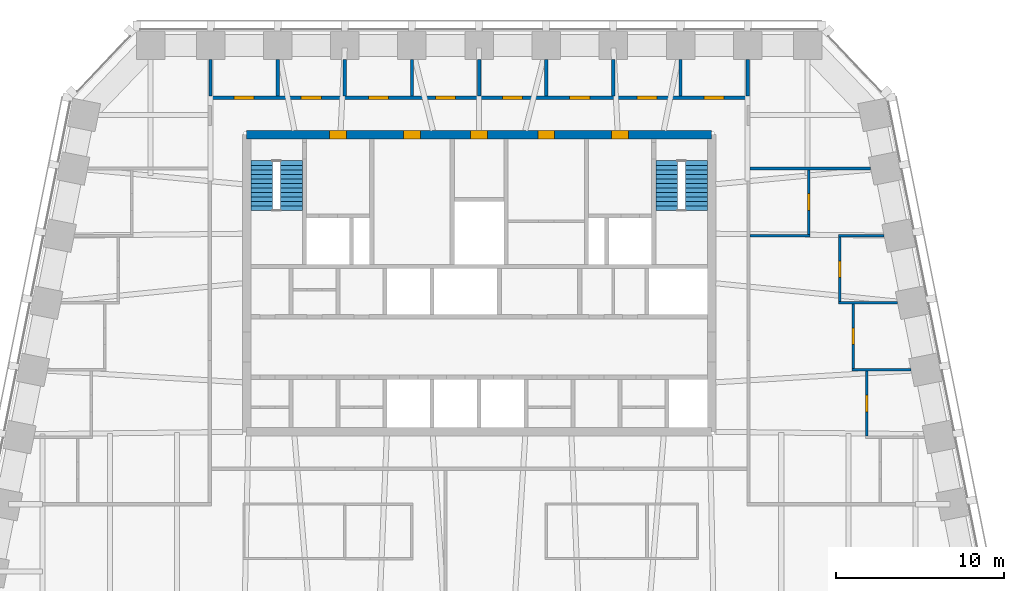
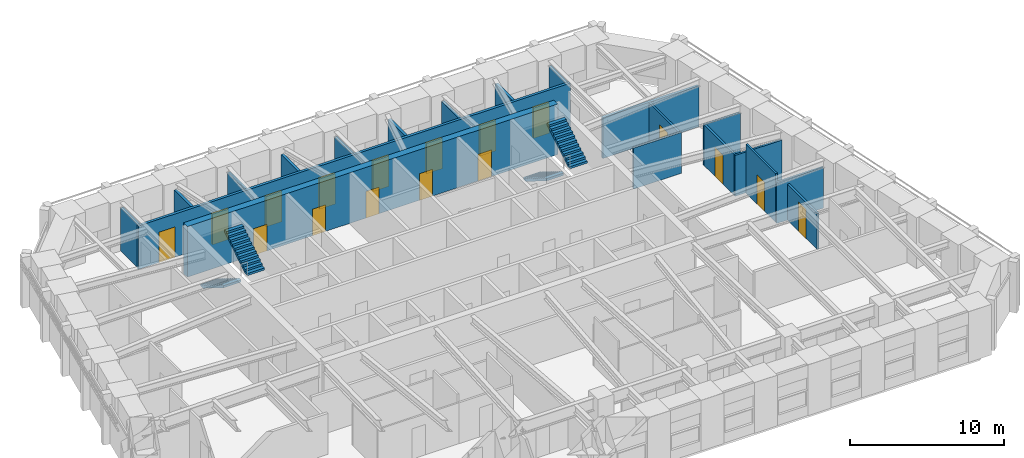
# One storey, part 8 of 11: 20 walls, 17 doors, 4 stair flights, 17 openings, 2 elements without a shape of their own.
"""IFC4 building model written with IfcOpenShell, lengths in metres."""

from ifc_helpers import new_model, si_unit, direction, frame, frame_2d, origin, place, context, subcontext, project, spatial, polyline, rectangle, outline, extrude, material, layer, layer_set, type_object, element, fill, aggregate, save


model = new_model("IFC4")

# Units and contexts
model_context = context("Model", 3, precision=1e-05, world=origin(), true_north=direction((0.0, 1.0)))
body_context = subcontext(model_context, "Body", "Model", "MODEL_VIEW")
ifc_project = project(units=[si_unit("LENGTHUNIT", "METRE"), si_unit("AREAUNIT", "SQUARE_METRE"), si_unit("VOLUMEUNIT", "CUBIC_METRE"), si_unit("PLANEANGLEUNIT", "RADIAN"), si_unit("MASSUNIT", "GRAM", prefix="KILO")], contexts=[model_context])

# Site, building, storey
site_placement = place(None, origin())
site = spatial("IfcSite", under=ifc_project, at=site_placement, CompositionType="ELEMENT")
building_placement = place(site_placement, origin())
building = spatial("IfcBuilding", under=site, at=building_placement, Name="Isbrekke Arena Tower", CompositionType="ELEMENT")
storey_placement = place(building_placement, frame((0.0, 0.0, 276.0)))
storey = spatial("IfcBuildingStorey", under=building, at=storey_placement, Name="L64", CompositionType="ELEMENT", Elevation=276.0)

# Wall, openings, doors
ifc_material_1 = material(Name="Concrete B55 (C55/67)", Category="concrete")
ifc_layer_1 = layer(ifc_material_1, 0.5)
ifc_layer_set_1 = layer_set([ifc_layer_1], Name="CW5 CORE WALL 500")
wall_type_1 = type_object("IfcWallType", Name="CW5 CORE WALL 500", PredefinedType="SHEAR", material=ifc_layer_set_1)
wall_1_placement = place(storey_placement, frame((13.85009765625, 23.85009765625, 0.0), z_axis=(0.0, 0.0, 1.0), x_axis=(-1.0, 0.0, 0.0)))
wall_1 = element("IfcWall", 1, at=wall_1_placement, inside=storey, type_object=wall_type_1, Name="Core wall N L64", PredefinedType="SHEAR", context=body_context, shape_type="SweptSolid", body=[
    extrude(rectangle(XDim=27.7001953125, YDim=0.5, at=frame_2d((13.85009765625, 0.0))), origin(), (0.0, 0.0, 1.0), 4.0),
])
opening_1_placement = place(wall_1_placement, frame((21.75, 0.0, 0.0)))
opening_1 = element("IfcOpeningElement", 2, at=opening_1_placement, cuts=wall_1, Name="Opening D3", PredefinedType="OPENING", context=body_context, shape_type="SweptSolid", body=[
    extrude(rectangle(XDim=1.0, YDim=2.10009765625, at=frame_2d((0.5, 1.050048828125))), frame((0.0, 0.264892578125, 0.0), z_axis=(0.0, -1.0, 0.0), x_axis=(1.0, 0.0, 0.0)), (0.0, 0.0, 1.0), 0.52978515625),
])
opening_2_placement = place(wall_1_placement, frame((4.949951171875, 0.0, 0.0)))
opening_2 = element("IfcOpeningElement", 3, at=opening_2_placement, cuts=wall_1, Name="Opening D3", PredefinedType="OPENING", context=body_context, shape_type="SweptSolid", body=[
    extrude(rectangle(XDim=1.0, YDim=2.10009765625, at=frame_2d((0.5, 1.050048828125))), frame((0.0, 0.264892578125, 0.0), z_axis=(0.0, -1.0, 0.0), x_axis=(1.0, 0.0, 0.0)), (0.0, 0.0, 1.0), 0.52978515625),
])
opening_3_placement = place(wall_1_placement, frame((17.35009765625, 0.0, 0.0)))
opening_3 = element("IfcOpeningElement", 4, at=opening_3_placement, cuts=wall_1, Name="Opening D4", PredefinedType="OPENING", context=body_context, shape_type="SweptSolid", body=[
    extrude(rectangle(XDim=1.0, YDim=2.10009765625, at=frame_2d((0.5, 1.050048828125))), frame((0.0, 0.264892578125, 0.0), z_axis=(0.0, -1.0, 0.0), x_axis=(1.0, 0.0, 0.0)), (0.0, 0.0, 1.0), 0.52978515625),
])
opening_4_placement = place(wall_1_placement, frame((13.35009765625, 0.0, 0.0)))
opening_4 = element("IfcOpeningElement", 5, at=opening_4_placement, cuts=wall_1, Name="Opening D4", PredefinedType="OPENING", context=body_context, shape_type="SweptSolid", body=[
    extrude(rectangle(XDim=1.0, YDim=2.10009765625, at=frame_2d((0.5, 1.050048828125))), frame((0.0, 0.264892578125, 0.0), z_axis=(0.0, -1.0, 0.0), x_axis=(1.0, 0.0, 0.0)), (0.0, 0.0, 1.0), 0.52978515625),
])
opening_5_placement = place(wall_1_placement, frame((9.35009765625, 0.0, 0.0)))
opening_5 = element("IfcOpeningElement", 6, at=opening_5_placement, cuts=wall_1, Name="Opening D4", PredefinedType="OPENING", context=body_context, shape_type="SweptSolid", body=[
    extrude(rectangle(XDim=1.0, YDim=2.10009765625, at=frame_2d((0.5, 1.050048828125))), frame((0.0, 0.264892578125, 0.0), z_axis=(0.0, -1.0, 0.0), x_axis=(1.0, 0.0, 0.0)), (0.0, 0.0, 1.0), 0.52978515625),
])
ifc_material_2 = material(Name="Steel fire door", Category="steel")
door_type_1 = type_object("IfcDoorType", Name="D3 FIRE LOBBY DOOR 1000 x 2100", OperationType="SINGLE_SWING_RIGHT", PredefinedType="DOOR", material=ifc_material_2)
door_1_placement = place(opening_1_placement, origin())
door_1 = element("IfcDoor", 7, at=door_1_placement, inside=storey, type_object=door_type_1, Name="D3 fire-fighting lobby door L64", OperationType="SINGLE_SWING_RIGHT", OverallHeight=2.10009765625, OverallWidth=1.0, PredefinedType="DOOR", context=body_context, shape_type="SweptSolid", body=[
    extrude(rectangle(XDim=1.0, YDim=2.10009765625, at=frame_2d((0.5, 1.050048828125))), frame((0.0, 0.249755859375, 0.0), z_axis=(0.0, -1.0, 0.0), x_axis=(1.0, 0.0, 0.0)), (0.0, 0.0, 1.0), 0.49951171875),
])
fill(opening_1, door_1)
door_2_placement = place(opening_2_placement, origin())
door_2 = element("IfcDoor", 8, at=door_2_placement, inside=storey, type_object=door_type_1, Name="D3 fire-fighting lobby door L64", OperationType="SINGLE_SWING_RIGHT", OverallHeight=2.10009765625, OverallWidth=1.0, PredefinedType="DOOR", context=body_context, shape_type="SweptSolid", body=[
    extrude(rectangle(XDim=1.0, YDim=2.10009765625, at=frame_2d((0.5, 1.050048828125))), frame((0.0, 0.249755859375, 0.0), z_axis=(0.0, -1.0, 0.0), x_axis=(1.0, 0.0, 0.0)), (0.0, 0.0, 1.0), 0.49951171875),
])
fill(opening_2, door_2)
ifc_material_3 = material(Name="Timber door", Category="wood")
door_type_2 = type_object("IfcDoorType", Name="D4 WC DOOR 1000 x 2100", OperationType="SINGLE_SWING_LEFT", PredefinedType="DOOR", material=ifc_material_3)
door_3_placement = place(opening_3_placement, origin())
door_3 = element("IfcDoor", 9, at=door_3_placement, inside=storey, type_object=door_type_2, Name="D4 wc female door L64", OperationType="SINGLE_SWING_LEFT", OverallHeight=2.10009765625, OverallWidth=1.0, PredefinedType="DOOR", context=body_context, shape_type="SweptSolid", body=[
    extrude(rectangle(XDim=1.0, YDim=2.10009765625, at=frame_2d((0.5, 1.050048828125))), frame((0.0, 0.249755859375, 0.0), z_axis=(0.0, -1.0, 0.0), x_axis=(1.0, 0.0, 0.0)), (0.0, 0.0, 1.0), 0.49951171875),
])
fill(opening_3, door_3)
door_4_placement = place(opening_4_placement, origin())
door_4 = element("IfcDoor", 10, at=door_4_placement, inside=storey, type_object=door_type_2, Name="D4 accessible wc door L64", OperationType="SINGLE_SWING_LEFT", OverallHeight=2.10009765625, OverallWidth=1.0, PredefinedType="DOOR", context=body_context, shape_type="SweptSolid", body=[
    extrude(rectangle(XDim=1.0, YDim=2.10009765625, at=frame_2d((0.5, 1.050048828125))), frame((0.0, 0.249755859375, 0.0), z_axis=(0.0, -1.0, 0.0), x_axis=(1.0, 0.0, 0.0)), (0.0, 0.0, 1.0), 0.49951171875),
])
fill(opening_4, door_4)
door_5_placement = place(opening_5_placement, origin())
door_5 = element("IfcDoor", 11, at=door_5_placement, inside=storey, type_object=door_type_2, Name="D4 wc male door L64", OperationType="SINGLE_SWING_LEFT", OverallHeight=2.10009765625, OverallWidth=1.0, PredefinedType="DOOR", context=body_context, shape_type="SweptSolid", body=[
    extrude(rectangle(XDim=1.0, YDim=2.10009765625, at=frame_2d((0.5, 1.050048828125))), frame((0.0, 0.249755859375, 0.0), z_axis=(0.0, -1.0, 0.0), x_axis=(1.0, 0.0, 0.0)), (0.0, 0.0, 1.0), 0.49951171875),
])
fill(opening_5, door_5)

# Walls
ifc_material_4 = material(Name="Gypsum board partition on steel studs", Category="steel")
ifc_layer_2 = layer(ifc_material_4, 0.14990234375)
ifc_layer_set_2 = layer_set([ifc_layer_2], Name="IW1 PARTITION 150")
wall_type_2 = type_object("IfcWallType", Name="IW1 PARTITION 150", PredefinedType="PARTITIONING", material=ifc_layer_set_2)
for number, where, z_axis, x_axis, name in (
    (12, (22.22509765625, 9.840087890625, 0.0), (0.0, 0.0, 1.0), (1.0, 0.0, 0.0), "IW1 partition 150 L64"),
    (13, (21.425048828125, 13.840087890625, 0.0), (0.0, 0.0, 1.0), (1.0, 0.0, 0.0), "IW1 partition 150 L64"),
):
    element("IfcWall", number, at=place(storey_placement, frame(where, z_axis=z_axis, x_axis=x_axis)), inside=storey, type_object=wall_type_2, Name=name, PredefinedType="PARTITIONING", context=body_context, shape_type="SweptSolid", body=[
        extrude(rectangle(XDim=3.498779296875, YDim=0.14990234375, at=frame_2d((1.74951171875, 0.0))), origin(), (0.0, 0.0, 1.0), 3.22998046875),
    ])
wall_2_placement = place(storey_placement, frame((16.14990234375, 17.840087890625, 0.0), z_axis=(0.0, 0.0, 1.0), x_axis=(1.0, 0.0, 0.0)))
element("IfcWall", 14, at=wall_2_placement, inside=storey, type_object=wall_type_2, Name="IW1 partition 150 L64", PredefinedType="PARTITIONING", context=body_context, shape_type="SweptSolid", body=[
    extrude(rectangle(XDim=3.5751953125, YDim=0.14990234375, at=frame_2d((1.78759765625, 0.0))), origin(), (0.0, 0.0, 1.0), 3.22998046875),
])
wall_3_placement = place(storey_placement, frame((21.425048828125, 17.840087890625, 0.0), z_axis=(0.0, 0.0, 1.0), x_axis=(1.0, 0.0, 0.0)))
element("IfcWall", 15, at=wall_3_placement, inside=storey, type_object=wall_type_2, Name="IW1 partition 150 L64", PredefinedType="PARTITIONING", context=body_context, shape_type="SweptSolid", body=[
    extrude(rectangle(XDim=2.69873046875, YDim=0.14990234375, at=frame_2d((1.349365234375, 0.0))), origin(), (0.0, 0.0, 1.0), 3.22998046875),
])

# Wall, opening, door
wall_4_placement = place(storey_placement, frame((19.64990234375, 17.9150390625, 0.0), z_axis=(0.0, 0.0, 1.0), x_axis=(0.0, 1.0, 0.0)))
wall_4 = element("IfcWall", 16, at=wall_4_placement, inside=storey, type_object=wall_type_2, Name="IW1 partition 150 L64", PredefinedType="PARTITIONING", context=body_context, shape_type="SweptSolid", body=[
    extrude(rectangle(XDim=3.824951171875, YDim=0.14990234375, at=frame_2d((1.91259765625, 0.0))), origin(), (0.0, 0.0, 1.0), 3.22998046875),
])
opening_6_placement = place(wall_4_placement, frame((1.425048828125, 0.0, 0.0)))
opening_6 = element("IfcOpeningElement", 17, at=opening_6_placement, cuts=wall_4, Name="Opening D10", PredefinedType="OPENING", context=body_context, shape_type="SweptSolid", body=[
    extrude(rectangle(XDim=1.0, YDim=2.300048828125, at=frame_2d((0.5, 1.14990234375))), frame((0.0, 0.08984375, 0.0), z_axis=(0.0, -1.0, 0.0), x_axis=(1.0, 0.0, 0.0)), (0.0, 0.0, 1.0), 0.1796875),
])
ifc_material_5 = material(Name="Timber door", Category="wood")
door_type_3 = type_object("IfcDoorType", Name="D10 OFFICE DOOR 1000 x 2300", OperationType="SINGLE_SWING_LEFT", PredefinedType="DOOR", material=ifc_material_5)
door_6_placement = place(opening_6_placement, origin())
door_6 = element("IfcDoor", 18, at=door_6_placement, inside=storey, type_object=door_type_3, Name="D10 tea point door L64", OperationType="SINGLE_SWING_LEFT", OverallHeight=2.300048828125, OverallWidth=1.0, PredefinedType="DOOR", context=body_context, shape_type="SweptSolid", body=[
    extrude(rectangle(XDim=1.0, YDim=2.300048828125, at=frame_2d((0.5, 1.14990234375))), frame((0.0, 0.07470703125, 0.0), z_axis=(0.0, -1.0, 0.0), x_axis=(1.0, 0.0, 0.0)), (0.0, 0.0, 1.0), 0.1494140625),
])
fill(opening_6, door_6)

wall_5_placement = place(storey_placement, frame((21.5, 13.9150390625, 0.0), z_axis=(0.0, 0.0, 1.0), x_axis=(0.0, 1.0, 0.0)))
wall_5 = element("IfcWall", 19, at=wall_5_placement, inside=storey, type_object=wall_type_2, Name="IW1 partition 150 L64", PredefinedType="PARTITIONING", context=body_context, shape_type="SweptSolid", body=[
    extrude(rectangle(XDim=3.849853515625, YDim=0.14990234375, at=frame_2d((1.9248046875, 0.0))), origin(), (0.0, 0.0, 1.0), 3.22998046875),
])
opening_7_placement = place(wall_5_placement, frame((1.425048828125, 0.0, 0.0)))
opening_7 = element("IfcOpeningElement", 20, at=opening_7_placement, cuts=wall_5, Name="Opening D10", PredefinedType="OPENING", context=body_context, shape_type="SweptSolid", body=[
    extrude(rectangle(XDim=1.0, YDim=2.300048828125, at=frame_2d((0.5, 1.14990234375))), frame((0.0, 0.08984375, 0.0), z_axis=(0.0, -1.0, 0.0), x_axis=(1.0, 0.0, 0.0)), (0.0, 0.0, 1.0), 0.1796875),
])
door_7_placement = place(opening_7_placement, origin())
door_7 = element("IfcDoor", 21, at=door_7_placement, inside=storey, type_object=door_type_3, Name="D10 office door L64", OperationType="SINGLE_SWING_LEFT", OverallHeight=2.300048828125, OverallWidth=1.0, PredefinedType="DOOR", context=body_context, shape_type="SweptSolid", body=[
    extrude(rectangle(XDim=1.0, YDim=2.300048828125, at=frame_2d((0.5, 1.14990234375))), frame((0.0, 0.07470703125, 0.0), z_axis=(0.0, -1.0, 0.0), x_axis=(1.0, 0.0, 0.0)), (0.0, 0.0, 1.0), 0.1494140625),
])
fill(opening_7, door_7)

wall_6_placement = place(storey_placement, frame((22.300048828125, 9.9150390625, 0.0), z_axis=(0.0, 0.0, 1.0), x_axis=(0.0, 1.0, 0.0)))
wall_6 = element("IfcWall", 22, at=wall_6_placement, inside=storey, type_object=wall_type_2, Name="IW1 partition 150 L64", PredefinedType="PARTITIONING", context=body_context, shape_type="SweptSolid", body=[
    extrude(rectangle(XDim=3.849853515625, YDim=0.14990234375, at=frame_2d((1.9248046875, 0.0))), origin(), (0.0, 0.0, 1.0), 3.85009765625),
])
opening_8_placement = place(wall_6_placement, frame((1.425048828125, 0.0, 0.0)))
opening_8 = element("IfcOpeningElement", 23, at=opening_8_placement, cuts=wall_6, Name="Opening D10", PredefinedType="OPENING", context=body_context, shape_type="SweptSolid", body=[
    extrude(rectangle(XDim=1.0, YDim=2.300048828125, at=frame_2d((0.5, 1.14990234375))), frame((0.0, 0.08984375, 0.0), z_axis=(0.0, -1.0, 0.0), x_axis=(1.0, 0.0, 0.0)), (0.0, 0.0, 1.0), 0.1796875),
])
door_8_placement = place(opening_8_placement, origin())
door_8 = element("IfcDoor", 24, at=door_8_placement, inside=storey, type_object=door_type_3, Name="D10 office door L64", OperationType="SINGLE_SWING_LEFT", OverallHeight=2.300048828125, OverallWidth=1.0, PredefinedType="DOOR", context=body_context, shape_type="SweptSolid", body=[
    extrude(rectangle(XDim=1.0, YDim=2.300048828125, at=frame_2d((0.5, 1.14990234375))), frame((0.0, 0.07470703125, 0.0), z_axis=(0.0, -1.0, 0.0), x_axis=(1.0, 0.0, 0.0)), (0.0, 0.0, 1.0), 0.1494140625),
])
fill(opening_8, door_8)

wall_7_placement = place(storey_placement, frame((23.10009765625, 5.9150390625, 0.0), z_axis=(0.0, 0.0, 1.0), x_axis=(0.0, 1.0, 0.0)))
wall_7 = element("IfcWall", 25, at=wall_7_placement, inside=storey, type_object=wall_type_2, Name="IW1 partition 150 L64", PredefinedType="PARTITIONING", context=body_context, shape_type="SweptSolid", body=[
    extrude(rectangle(XDim=3.849853515625, YDim=0.14990234375, at=frame_2d((1.9248046875, 0.0))), origin(), (0.0, 0.0, 1.0), 2.842041015625),
])
opening_9_placement = place(wall_7_placement, frame((1.425048828125, 0.0, 0.0)))
opening_9 = element("IfcOpeningElement", 26, at=opening_9_placement, cuts=wall_7, Name="Opening D10", PredefinedType="OPENING", context=body_context, shape_type="SweptSolid", body=[
    extrude(rectangle(XDim=1.0, YDim=2.300048828125, at=frame_2d((0.5, 1.14990234375))), frame((0.0, 0.08984375, 0.0), z_axis=(0.0, -1.0, 0.0), x_axis=(1.0, 0.0, 0.0)), (0.0, 0.0, 1.0), 0.1796875),
])
door_9_placement = place(opening_9_placement, origin())
door_9 = element("IfcDoor", 27, at=door_9_placement, inside=storey, type_object=door_type_3, Name="D10 office door L64", OperationType="SINGLE_SWING_LEFT", OverallHeight=2.300048828125, OverallWidth=1.0, PredefinedType="DOOR", context=body_context, shape_type="SweptSolid", body=[
    extrude(rectangle(XDim=1.0, YDim=2.300048828125, at=frame_2d((0.5, 1.14990234375))), frame((0.0, 0.07470703125, 0.0), z_axis=(0.0, -1.0, 0.0), x_axis=(1.0, 0.0, 0.0)), (0.0, 0.0, 1.0), 0.1494140625),
])
fill(opening_9, door_9)

# Wall
ifc_material_6 = material(Name="Gypsum board fire-cell wall on steel studs, two layers each side", Category="steel")
ifc_layer_3 = layer(ifc_material_6, 0.199951171875)
ifc_layer_set_3 = layer_set([ifc_layer_3], Name="IW3 FIRE-CELL WALL 200")
wall_type_3 = type_object("IfcWallType", Name="IW3 FIRE-CELL WALL 200", PredefinedType="PARTITIONING", material=ifc_layer_set_3)
wall_8_placement = place(storey_placement, frame((16.14990234375, 21.840087890625, 0.0), z_axis=(0.0, 0.0, 1.0), x_axis=(1.0, 0.0, 0.0)))
element("IfcWall", 28, at=wall_8_placement, inside=storey, type_object=wall_type_3, Name="IW3 fire-cell wall 200 L64", PredefinedType="PARTITIONING", context=body_context, shape_type="SweptSolid", body=[
    extrude(rectangle(XDim=7.173828125, YDim=0.199951171875, at=frame_2d((3.5869140625, 0.0))), origin(), (0.0, 0.0, 1.0), 3.22998046875),
])

# Wall, openings, doors
wall_9_placement = place(storey_placement, frame((-16.14990234375, 26.050048828125, 0.0), z_axis=(0.0, 0.0, 1.0), x_axis=(1.0, 0.0, 0.0)))
wall_9 = element("IfcWall", 29, at=wall_9_placement, inside=storey, type_object=wall_type_3, Name="IW3 fire-cell wall 200 L64", PredefinedType="PARTITIONING", context=body_context, shape_type="SweptSolid", body=[
    extrude(rectangle(XDim=32.2998046875, YDim=0.199951171875, at=frame_2d((16.14990234375, 0.0))), origin(), (0.0, 0.0, 1.0), 3.41796875),
])
opening_10_placement = place(wall_9_placement, frame((1.550048828125, 0.0, 0.0)))
opening_10 = element("IfcOpeningElement", 30, at=opening_10_placement, cuts=wall_9, Name="Opening D12", PredefinedType="OPENING", context=body_context, shape_type="SweptSolid", body=[
    extrude(rectangle(XDim=1.199951171875, YDim=2.39990234375, at=frame_2d((0.60009765625, 1.199951171875))), frame((0.0, 0.11474609375, 0.0), z_axis=(0.0, -1.0, 0.0), x_axis=(1.0, 0.0, 0.0)), (0.0, 0.0, 1.0), 0.229736328125),
])
opening_11_placement = place(wall_9_placement, frame((5.550048828125, 0.0, 0.0)))
opening_11 = element("IfcOpeningElement", 31, at=opening_11_placement, cuts=wall_9, Name="Opening D12", PredefinedType="OPENING", context=body_context, shape_type="SweptSolid", body=[
    extrude(rectangle(XDim=1.199951171875, YDim=2.39990234375, at=frame_2d((0.60009765625, 1.199951171875))), frame((0.0, 0.11474609375, 0.0), z_axis=(0.0, -1.0, 0.0), x_axis=(1.0, 0.0, 0.0)), (0.0, 0.0, 1.0), 0.229736328125),
])
opening_12_placement = place(wall_9_placement, frame((9.550048828125, 0.0, 0.0)))
opening_12 = element("IfcOpeningElement", 32, at=opening_12_placement, cuts=wall_9, Name="Opening D12", PredefinedType="OPENING", context=body_context, shape_type="SweptSolid", body=[
    extrude(rectangle(XDim=1.199951171875, YDim=2.39990234375, at=frame_2d((0.60009765625, 1.199951171875))), frame((0.0, 0.11474609375, 0.0), z_axis=(0.0, -1.0, 0.0), x_axis=(1.0, 0.0, 0.0)), (0.0, 0.0, 1.0), 0.229736328125),
])
opening_13_placement = place(wall_9_placement, frame((13.550048828125, 0.0, 0.0)))
opening_13 = element("IfcOpeningElement", 33, at=opening_13_placement, cuts=wall_9, Name="Opening D12", PredefinedType="OPENING", context=body_context, shape_type="SweptSolid", body=[
    extrude(rectangle(XDim=1.199951171875, YDim=2.39990234375, at=frame_2d((0.60009765625, 1.199951171875))), frame((0.0, 0.11474609375, 0.0), z_axis=(0.0, -1.0, 0.0), x_axis=(1.0, 0.0, 0.0)), (0.0, 0.0, 1.0), 0.229736328125),
])
opening_14_placement = place(wall_9_placement, frame((17.550048828125, 0.0, 0.0)))
opening_14 = element("IfcOpeningElement", 34, at=opening_14_placement, cuts=wall_9, Name="Opening D12", PredefinedType="OPENING", context=body_context, shape_type="SweptSolid", body=[
    extrude(rectangle(XDim=1.199951171875, YDim=2.39990234375, at=frame_2d((0.60009765625, 1.199951171875))), frame((0.0, 0.11474609375, 0.0), z_axis=(0.0, -1.0, 0.0), x_axis=(1.0, 0.0, 0.0)), (0.0, 0.0, 1.0), 0.229736328125),
])
opening_15_placement = place(wall_9_placement, frame((21.550048828125, 0.0, 0.0)))
opening_15 = element("IfcOpeningElement", 35, at=opening_15_placement, cuts=wall_9, Name="Opening D12", PredefinedType="OPENING", context=body_context, shape_type="SweptSolid", body=[
    extrude(rectangle(XDim=1.199951171875, YDim=2.39990234375, at=frame_2d((0.60009765625, 1.199951171875))), frame((0.0, 0.11474609375, 0.0), z_axis=(0.0, -1.0, 0.0), x_axis=(1.0, 0.0, 0.0)), (0.0, 0.0, 1.0), 0.229736328125),
])
opening_16_placement = place(wall_9_placement, frame((25.550048828125, 0.0, 0.0)))
opening_16 = element("IfcOpeningElement", 36, at=opening_16_placement, cuts=wall_9, Name="Opening D12", PredefinedType="OPENING", context=body_context, shape_type="SweptSolid", body=[
    extrude(rectangle(XDim=1.199951171875, YDim=2.39990234375, at=frame_2d((0.60009765625, 1.199951171875))), frame((0.0, 0.11474609375, 0.0), z_axis=(0.0, -1.0, 0.0), x_axis=(1.0, 0.0, 0.0)), (0.0, 0.0, 1.0), 0.229736328125),
])
opening_17_placement = place(wall_9_placement, frame((29.550048828125, 0.0, 0.0)))
opening_17 = element("IfcOpeningElement", 37, at=opening_17_placement, cuts=wall_9, Name="Opening D12", PredefinedType="OPENING", context=body_context, shape_type="SweptSolid", body=[
    extrude(rectangle(XDim=1.199951171875, YDim=2.39990234375, at=frame_2d((0.60009765625, 1.199951171875))), frame((0.0, 0.11474609375, 0.0), z_axis=(0.0, -1.0, 0.0), x_axis=(1.0, 0.0, 0.0)), (0.0, 0.0, 1.0), 0.229736328125),
])
ifc_material_7 = material(Name="Timber fire door with vision panel", Category="wood")
door_type_4 = type_object("IfcDoorType", Name="D12 SUITE ENTRANCE DOOR 1200 x 2400", OperationType="SINGLE_SWING_LEFT", PredefinedType="DOOR", material=ifc_material_7)
door_10_placement = place(opening_10_placement, origin())
door_10 = element("IfcDoor", 38, at=door_10_placement, inside=storey, type_object=door_type_4, Name="D12 suite entrance NB1 door L64", OperationType="SINGLE_SWING_LEFT", OverallHeight=2.39990234375, OverallWidth=1.199951171875, PredefinedType="DOOR", context=body_context, shape_type="SweptSolid", body=[
    extrude(rectangle(XDim=1.199951171875, YDim=2.39990234375, at=frame_2d((0.60009765625, 1.199951171875))), frame((0.0, 0.099609375, 0.0), z_axis=(0.0, -1.0, 0.0), x_axis=(1.0, 0.0, 0.0)), (0.0, 0.0, 1.0), 0.199462890625),
])
fill(opening_10, door_10)
door_11_placement = place(opening_11_placement, origin())
door_11 = element("IfcDoor", 39, at=door_11_placement, inside=storey, type_object=door_type_4, Name="D12 suite entrance NB2 door L64", OperationType="SINGLE_SWING_LEFT", OverallHeight=2.39990234375, OverallWidth=1.199951171875, PredefinedType="DOOR", context=body_context, shape_type="SweptSolid", body=[
    extrude(rectangle(XDim=1.199951171875, YDim=2.39990234375, at=frame_2d((0.60009765625, 1.199951171875))), frame((0.0, 0.099609375, 0.0), z_axis=(0.0, -1.0, 0.0), x_axis=(1.0, 0.0, 0.0)), (0.0, 0.0, 1.0), 0.199462890625),
])
fill(opening_11, door_11)
door_12_placement = place(opening_12_placement, origin())
door_12 = element("IfcDoor", 40, at=door_12_placement, inside=storey, type_object=door_type_4, Name="D12 suite entrance NB3 door L64", OperationType="SINGLE_SWING_LEFT", OverallHeight=2.39990234375, OverallWidth=1.199951171875, PredefinedType="DOOR", context=body_context, shape_type="SweptSolid", body=[
    extrude(rectangle(XDim=1.199951171875, YDim=2.39990234375, at=frame_2d((0.60009765625, 1.199951171875))), frame((0.0, 0.099609375, 0.0), z_axis=(0.0, -1.0, 0.0), x_axis=(1.0, 0.0, 0.0)), (0.0, 0.0, 1.0), 0.199462890625),
])
fill(opening_12, door_12)
door_13_placement = place(opening_13_placement, origin())
door_13 = element("IfcDoor", 41, at=door_13_placement, inside=storey, type_object=door_type_4, Name="D12 suite entrance NB4 door L64", OperationType="SINGLE_SWING_LEFT", OverallHeight=2.39990234375, OverallWidth=1.199951171875, PredefinedType="DOOR", context=body_context, shape_type="SweptSolid", body=[
    extrude(rectangle(XDim=1.199951171875, YDim=2.39990234375, at=frame_2d((0.60009765625, 1.199951171875))), frame((0.0, 0.099609375, 0.0), z_axis=(0.0, -1.0, 0.0), x_axis=(1.0, 0.0, 0.0)), (0.0, 0.0, 1.0), 0.199462890625),
])
fill(opening_13, door_13)
door_14_placement = place(opening_14_placement, origin())
door_14 = element("IfcDoor", 42, at=door_14_placement, inside=storey, type_object=door_type_4, Name="D12 suite entrance NB5 door L64", OperationType="SINGLE_SWING_LEFT", OverallHeight=2.39990234375, OverallWidth=1.199951171875, PredefinedType="DOOR", context=body_context, shape_type="SweptSolid", body=[
    extrude(rectangle(XDim=1.199951171875, YDim=2.39990234375, at=frame_2d((0.60009765625, 1.199951171875))), frame((0.0, 0.099609375, 0.0), z_axis=(0.0, -1.0, 0.0), x_axis=(1.0, 0.0, 0.0)), (0.0, 0.0, 1.0), 0.199462890625),
])
fill(opening_14, door_14)
door_15_placement = place(opening_15_placement, origin())
door_15 = element("IfcDoor", 43, at=door_15_placement, inside=storey, type_object=door_type_4, Name="D12 suite entrance NB6 door L64", OperationType="SINGLE_SWING_LEFT", OverallHeight=2.39990234375, OverallWidth=1.199951171875, PredefinedType="DOOR", context=body_context, shape_type="SweptSolid", body=[
    extrude(rectangle(XDim=1.199951171875, YDim=2.39990234375, at=frame_2d((0.60009765625, 1.199951171875))), frame((0.0, 0.099609375, 0.0), z_axis=(0.0, -1.0, 0.0), x_axis=(1.0, 0.0, 0.0)), (0.0, 0.0, 1.0), 0.199462890625),
])
fill(opening_15, door_15)
door_16_placement = place(opening_16_placement, origin())
door_16 = element("IfcDoor", 44, at=door_16_placement, inside=storey, type_object=door_type_4, Name="D12 suite entrance NB7 door L64", OperationType="SINGLE_SWING_LEFT", OverallHeight=2.39990234375, OverallWidth=1.199951171875, PredefinedType="DOOR", context=body_context, shape_type="SweptSolid", body=[
    extrude(rectangle(XDim=1.199951171875, YDim=2.39990234375, at=frame_2d((0.60009765625, 1.199951171875))), frame((0.0, 0.099609375, 0.0), z_axis=(0.0, -1.0, 0.0), x_axis=(1.0, 0.0, 0.0)), (0.0, 0.0, 1.0), 0.199462890625),
])
fill(opening_16, door_16)
door_17_placement = place(opening_17_placement, origin())
door_17 = element("IfcDoor", 45, at=door_17_placement, inside=storey, type_object=door_type_4, Name="D12 suite entrance NB8 door L64", OperationType="SINGLE_SWING_LEFT", OverallHeight=2.39990234375, OverallWidth=1.199951171875, PredefinedType="DOOR", context=body_context, shape_type="SweptSolid", body=[
    extrude(rectangle(XDim=1.199951171875, YDim=2.39990234375, at=frame_2d((0.60009765625, 1.199951171875))), frame((0.0, 0.099609375, 0.0), z_axis=(0.0, -1.0, 0.0), x_axis=(1.0, 0.0, 0.0)), (0.0, 0.0, 1.0), 0.199462890625),
])
fill(opening_17, door_17)

# Walls
for number, where, z_axis, x_axis, name in (
    (46, (-16.0, 26.14990234375, 0.0), (0.0, 0.0, 1.0), (0.0, 1.0, 0.0), "IW3 fire-cell wall 200 L64"),
    (47, (-12.0, 26.14990234375, 0.0), (0.0, 0.0, 1.0), (0.0, 1.0, 0.0), "IW3 fire-cell wall 200 L64"),
    (48, (-8.0, 26.14990234375, 0.0), (0.0, 0.0, 1.0), (0.0, 1.0, 0.0), "IW3 fire-cell wall 200 L64"),
    (49, (-4.0, 26.14990234375, 0.0), (0.0, 0.0, 1.0), (0.0, 1.0, 0.0), "IW3 fire-cell wall 200 L64"),
    (50, (0.0, 26.14990234375, 0.0), (0.0, 0.0, 1.0), (0.0, 1.0, 0.0), "IW3 fire-cell wall 200 L64"),
    (51, (4.0, 26.14990234375, 0.0), (0.0, 0.0, 1.0), (0.0, 1.0, 0.0), "IW3 fire-cell wall 200 L64"),
    (52, (8.0, 26.14990234375, 0.0), (0.0, 0.0, 1.0), (0.0, 1.0, 0.0), "IW3 fire-cell wall 200 L64"),
    (53, (12.0, 26.14990234375, 0.0), (0.0, 0.0, 1.0), (0.0, 1.0, 0.0), "IW3 fire-cell wall 200 L64"),
    (54, (16.0, 26.14990234375, 0.0), (0.0, 0.0, 1.0), (0.0, 1.0, 0.0), "IW3 fire-cell wall 200 L64"),
):
    element("IfcWall", number, at=place(storey_placement, frame(where, z_axis=z_axis, x_axis=x_axis)), inside=storey, type_object=wall_type_3, Name=name, PredefinedType="PARTITIONING", context=body_context, shape_type="SweptSolid", body=[
        extrude(rectangle(XDim=2.175048828125, YDim=0.199951171875, at=frame_2d((1.08740234375, 0.0))), origin(), (0.0, 0.0, 1.0), 3.41796875),
    ])

# Stair, stair flights
ifc_material_8 = material(Name="Concrete B45 (C45/55) precast", Category="concrete")
stair_type = type_object("IfcStairType", Name="ST40 STAIR 1300 WIDE, 24 RISERS 167", PredefinedType="HALF_TURN_STAIR", material=ifc_material_8)
stair_1_placement = place(storey_placement, origin())
stair_1 = element("IfcStair", 55, at=stair_1_placement, inside=storey, type_object=stair_type, Name="ST1 stair L64", PredefinedType="HALF_TURN_STAIR")
ifc_material_9 = material(Name="Concrete B45 (C45/55) precast", Category="concrete")
stair_flight_type = type_object("IfcStairFlightType", Name="SF 1300 FLIGHT", PredefinedType="STRAIGHT", material=ifc_material_9)
stair_flight_1_placement = place(storey_placement, frame((-12.949951171875, 22.300048828125, 0.0), z_axis=(0.0, 0.0, 1.0), x_axis=(0.0, -1.0, 0.0)))
stair_flight_1 = element("IfcStairFlight", 56, at=stair_flight_1_placement, type_object=stair_flight_type, Name="ST1 flight 1", NumberOfRisers=12, NumberOfTreads=11, PredefinedType="STRAIGHT", RiserHeight=0.166666667, TreadLength=0.27, context=body_context, shape_type="SweptSolid", body=[
    extrude(outline(polyline([(0.0, 0.0), (0.0, 0.166748046875), (0.27001953125, 0.166748046875), (0.27001953125, 0.333251953125), (0.5400390625, 0.333251953125), (0.5400390625, 0.5), (0.81005859375, 0.5), (0.81005859375, 0.666748046875), (1.080078125, 0.666748046875), (1.080078125, 0.833251953125), (1.35009765625, 0.833251953125), (1.35009765625, 1.0), (1.6201171875, 1.0), (1.6201171875, 1.166748046875), (1.889892578125, 1.166748046875), (1.889892578125, 1.333251953125), (2.159912109375, 1.333251953125), (2.159912109375, 1.5), (2.429931640625, 1.5), (2.429931640625, 1.666748046875), (2.699951171875, 1.666748046875), (2.699951171875, 1.833251953125), (2.969970703125, 1.833251953125), (2.969970703125, 2.0), (2.969970703125, 1.6572265625), (0.285400390625, 0.0), (0.0, 0.0)])), frame((0.0, 0.64990234375, 0.0), z_axis=(0.0, -1.0, 0.0), x_axis=(1.0, 0.0, 0.0)), (0.0, 0.0, 1.0), 1.300048828125),
])
stair_flight_2_placement = place(storey_placement, frame((-11.175048828125, 19.330078125, 2.0), z_axis=(0.0, 0.0, 1.0), x_axis=(0.0, 1.0, 0.0)))
stair_flight_2 = element("IfcStairFlight", 57, at=stair_flight_2_placement, type_object=stair_flight_type, Name="ST1 flight 2", NumberOfRisers=12, NumberOfTreads=11, PredefinedType="STRAIGHT", RiserHeight=0.166666667, TreadLength=0.27, context=body_context, shape_type="SweptSolid", body=[
    extrude(outline(polyline([(0.0, 0.0), (0.0, 0.166748046875), (0.27001953125, 0.166748046875), (0.27001953125, 0.333251953125), (0.5400390625, 0.333251953125), (0.5400390625, 0.5), (0.81005859375, 0.5), (0.81005859375, 0.666748046875), (1.080078125, 0.666748046875), (1.080078125, 0.833251953125), (1.35009765625, 0.833251953125), (1.35009765625, 1.0), (1.6201171875, 1.0), (1.6201171875, 1.166748046875), (1.889892578125, 1.166748046875), (1.889892578125, 1.333251953125), (2.159912109375, 1.333251953125), (2.159912109375, 1.5), (2.429931640625, 1.5), (2.429931640625, 1.666748046875), (2.699951171875, 1.666748046875), (2.699951171875, 1.833251953125), (2.969970703125, 1.833251953125), (2.969970703125, 2.0), (2.969970703125, 1.6572265625), (0.285400390625, 0.0), (0.0, 0.0)])), frame((0.0, 0.64990234375, 0.0), z_axis=(0.0, -1.0, 0.0), x_axis=(1.0, 0.0, 0.0)), (0.0, 0.0, 1.0), 1.300048828125),
])
aggregate(stair_1, [stair_flight_1, stair_flight_2])

stair_2_placement = place(storey_placement, origin())
stair_2 = element("IfcStair", 58, at=stair_2_placement, inside=storey, type_object=stair_type, Name="ST2 stair L64", PredefinedType="HALF_TURN_STAIR")
stair_flight_3_placement = place(storey_placement, frame((11.175048828125, 22.300048828125, 0.0), z_axis=(0.0, 0.0, 1.0), x_axis=(0.0, -1.0, 0.0)))
stair_flight_3 = element("IfcStairFlight", 59, at=stair_flight_3_placement, type_object=stair_flight_type, Name="ST2 flight 1", NumberOfRisers=12, NumberOfTreads=11, PredefinedType="STRAIGHT", RiserHeight=0.166666667, TreadLength=0.27, context=body_context, shape_type="SweptSolid", body=[
    extrude(outline(polyline([(0.0, 0.0), (0.0, 0.166748046875), (0.27001953125, 0.166748046875), (0.27001953125, 0.333251953125), (0.5400390625, 0.333251953125), (0.5400390625, 0.5), (0.81005859375, 0.5), (0.81005859375, 0.666748046875), (1.080078125, 0.666748046875), (1.080078125, 0.833251953125), (1.35009765625, 0.833251953125), (1.35009765625, 1.0), (1.6201171875, 1.0), (1.6201171875, 1.166748046875), (1.889892578125, 1.166748046875), (1.889892578125, 1.333251953125), (2.159912109375, 1.333251953125), (2.159912109375, 1.5), (2.429931640625, 1.5), (2.429931640625, 1.666748046875), (2.699951171875, 1.666748046875), (2.699951171875, 1.833251953125), (2.969970703125, 1.833251953125), (2.969970703125, 2.0), (2.969970703125, 1.6572265625), (0.285400390625, 0.0), (0.0, 0.0)])), frame((0.0, 0.64990234375, 0.0), z_axis=(0.0, -1.0, 0.0), x_axis=(1.0, 0.0, 0.0)), (0.0, 0.0, 1.0), 1.300048828125),
])
stair_flight_4_placement = place(storey_placement, frame((12.949951171875, 19.330078125, 2.0), z_axis=(0.0, 0.0, 1.0), x_axis=(0.0, 1.0, 0.0)))
stair_flight_4 = element("IfcStairFlight", 60, at=stair_flight_4_placement, type_object=stair_flight_type, Name="ST2 flight 2", NumberOfRisers=12, NumberOfTreads=11, PredefinedType="STRAIGHT", RiserHeight=0.166666667, TreadLength=0.27, context=body_context, shape_type="SweptSolid", body=[
    extrude(outline(polyline([(0.0, 0.0), (0.0, 0.166748046875), (0.27001953125, 0.166748046875), (0.27001953125, 0.333251953125), (0.5400390625, 0.333251953125), (0.5400390625, 0.5), (0.81005859375, 0.5), (0.81005859375, 0.666748046875), (1.080078125, 0.666748046875), (1.080078125, 0.833251953125), (1.35009765625, 0.833251953125), (1.35009765625, 1.0), (1.6201171875, 1.0), (1.6201171875, 1.166748046875), (1.889892578125, 1.166748046875), (1.889892578125, 1.333251953125), (2.159912109375, 1.333251953125), (2.159912109375, 1.5), (2.429931640625, 1.5), (2.429931640625, 1.666748046875), (2.699951171875, 1.666748046875), (2.699951171875, 1.833251953125), (2.969970703125, 1.833251953125), (2.969970703125, 2.0), (2.969970703125, 1.6572265625), (0.285400390625, 0.0), (0.0, 0.0)])), frame((0.0, 0.64990234375, 0.0), z_axis=(0.0, -1.0, 0.0), x_axis=(1.0, 0.0, 0.0)), (0.0, 0.0, 1.0), 1.300048828125),
])
aggregate(stair_2, [stair_flight_3, stair_flight_4])

save(model, "model.ifc")
